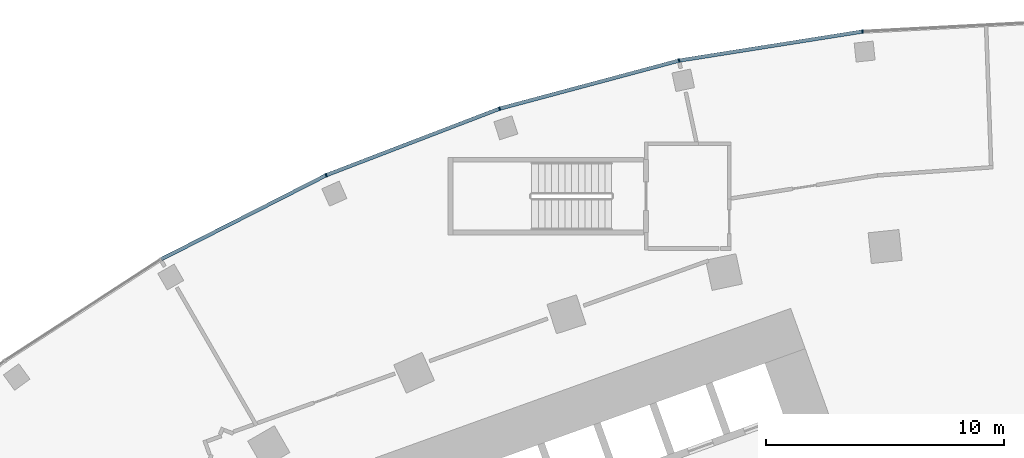
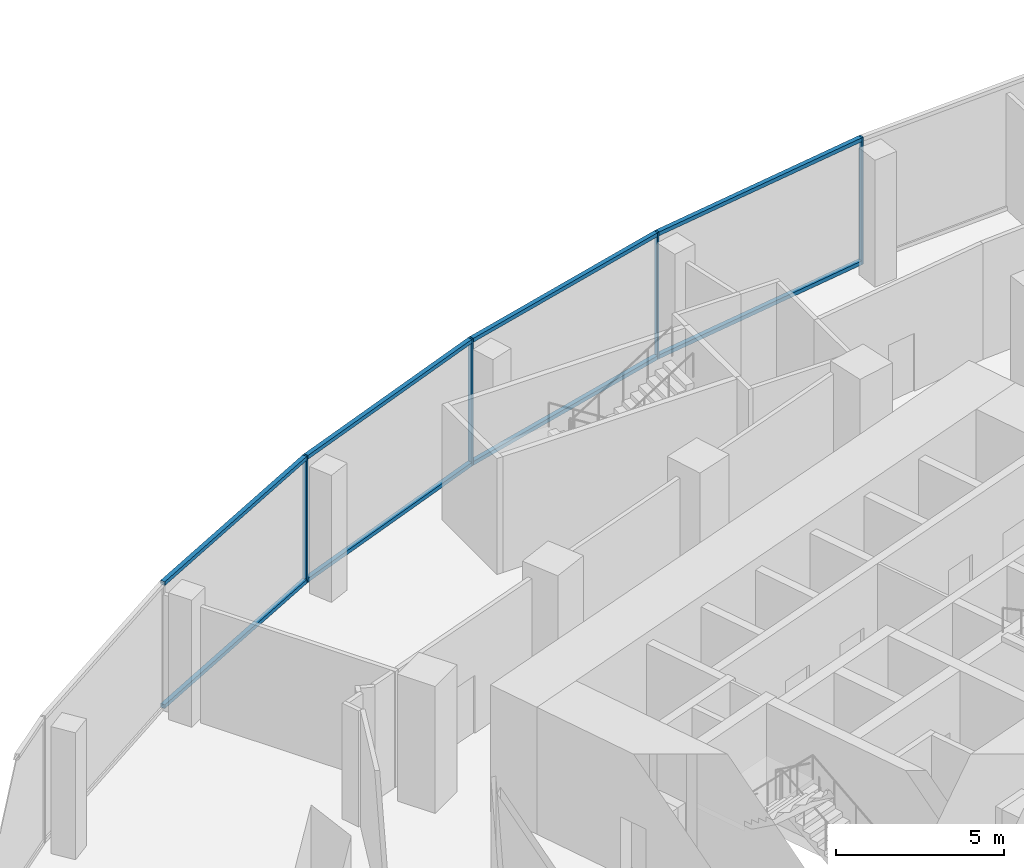
# One storey, part 7 of 39: 12 members, 1 element without a shape of its own.
"""IFC4 building model written with IfcOpenShell, lengths in metres."""

from ifc_helpers import new_model, si_unit, direction, frame, origin, origin_2d, place, context, subcontext, project, spatial, rectangle, extrude, material, layer, layer_set, material_profile, profile_set, type_object, element, aggregate, save


model = new_model("IFC4")

# Units and contexts
model_context = context("Model", 3, precision=1e-05, world=origin(), true_north=direction((0.0, 1.0)))
body_context = subcontext(model_context, "Body", "Model", "MODEL_VIEW")
ifc_project = project(units=[si_unit("LENGTHUNIT", "METRE"), si_unit("AREAUNIT", "SQUARE_METRE"), si_unit("VOLUMEUNIT", "CUBIC_METRE"), si_unit("PLANEANGLEUNIT", "RADIAN"), si_unit("MASSUNIT", "GRAM", prefix="KILO")], contexts=[model_context])

# Site, building, storey
site_placement = place(None, origin())
site = spatial("IfcSite", under=ifc_project, at=site_placement, CompositionType="ELEMENT")
building_placement = place(site_placement, origin())
building = spatial("IfcBuilding", under=site, at=building_placement, Name="Stone Belt Terrace Tower", CompositionType="ELEMENT")
storey_placement = place(building_placement, frame((0.0, 0.0, 20.800048828125)))
storey = spatial("IfcBuildingStorey", under=building, at=storey_placement, Name="L04", CompositionType="ELEMENT", Elevation=20.800048828125)

# Curtain wall, members
ifc_material = material(Name="Aluminium 6063-T6 anodised frame", Category="aluminium")
ifc_layer = layer(ifc_material, 0.14990234375)
ifc_layer_set = layer_set([ifc_layer], Name="CW-D podium shopfront")
curtain_wall_type = type_object("IfcCurtainWallType", Name="CW-D podium shopfront", PredefinedType="NOTDEFINED", material=ifc_layer_set)
curtain_wall_placement = place(storey_placement, origin())
curtain_wall = element("IfcCurtainWall", 1, at=curtain_wall_placement, inside=storey, type_object=curtain_wall_type, Name="CW-D convex face L04", PredefinedType="NOTDEFINED")
ifc_material_profile_1 = material_profile(ifc_material, rectangle(XDim=0.14990234375, YDim=0.06005859375, at=origin_2d()), Name="Aluminium 6063-T6 60x150")
ifc_profile_set_1 = profile_set([ifc_material_profile_1], Name="Aluminium 6063-T6 anodised frame")
member_type_1 = type_object("IfcMemberType", Name="CW-D mullion 60 x 150", PredefinedType="MULLION", material=ifc_profile_set_1)
member_1_placement = place(storey_placement, frame((-7.795166015625, 74.16650390625, 0.0), z_axis=(0.0, 0.0, 1.0), x_axis=(0.104528463268, -0.994521895368, 0.0)))
member_1 = element("IfcMember", 2, at=member_1_placement, type_object=member_type_1, Name="CW-D mullion 14", PredefinedType="MULLION", context=body_context, shape_type="SweptSolid", body=[
    extrude(rectangle(XDim=0.14990234375, YDim=0.06005859375, at=origin_2d()), origin(), (0.0, 0.0, 1.0), 4.599853515625),
])
member_2_placement = place(storey_placement, frame((-15.505126953125, 72.945556640625, 0.0), z_axis=(0.0, 0.0, 1.0), x_axis=(0.207911690818, -0.978147600734, 0.0)))
member_2 = element("IfcMember", 3, at=member_2_placement, type_object=member_type_1, Name="CW-D mullion 15", PredefinedType="MULLION", context=body_context, shape_type="SweptSolid", body=[
    extrude(rectangle(XDim=0.14990234375, YDim=0.06005859375, at=origin_2d()), origin(), (0.0, 0.0, 1.0), 4.599853515625),
])
member_3_placement = place(storey_placement, frame((-23.044921875, 70.925048828125, 0.0), z_axis=(0.0, 0.0, 1.0), x_axis=(0.309016994375, -0.951056516295, 0.0)))
member_3 = element("IfcMember", 4, at=member_3_placement, type_object=member_type_1, Name="CW-D mullion 16", PredefinedType="MULLION", context=body_context, shape_type="SweptSolid", body=[
    extrude(rectangle(XDim=0.14990234375, YDim=0.06005859375, at=origin_2d()), origin(), (0.0, 0.0, 1.0), 4.599853515625),
])
member_4_placement = place(storey_placement, frame((-30.33251953125, 68.127685546875, 0.0), z_axis=(0.0, 0.0, 1.0), x_axis=(0.406736643076, -0.913545457643, 0.0)))
member_4 = element("IfcMember", 5, at=member_4_placement, type_object=member_type_1, Name="CW-D mullion 17", PredefinedType="MULLION", context=body_context, shape_type="SweptSolid", body=[
    extrude(rectangle(XDim=0.14990234375, YDim=0.06005859375, at=origin_2d()), origin(), (0.0, 0.0, 1.0), 4.599853515625),
])
ifc_material_profile_2 = material_profile(ifc_material, rectangle(XDim=0.14990234375, YDim=0.139892578125, at=origin_2d()), Name="Aluminium 6063-T6 150x140")
ifc_profile_set_2 = profile_set([ifc_material_profile_2], Name="Aluminium 6063-T6 anodised frame")
member_type_2 = type_object("IfcMemberType", Name="CW-D transom 140 x 150", PredefinedType="USERDEFINED", material=ifc_profile_set_2)
member_5_placement = place(storey_placement, frame((-7.82861328125, 74.161376953125, 0.070068359375), z_axis=(-0.987685334162, -0.156453445733, 0.0), x_axis=(0.156453445733, -0.987685334162, 0.0)))
member_5 = element("IfcMember", 6, at=member_5_placement, type_object=member_type_2, Name="CW-D transom 14.1", ObjectType="TRANSOM", PredefinedType="USERDEFINED", context=body_context, shape_type="SweptSolid", body=[
    extrude(rectangle(XDim=0.14990234375, YDim=0.139892578125, at=origin_2d()), origin(), (0.0, 0.0, 1.0), 7.73828125),
])
member_6_placement = place(storey_placement, frame((-7.82861328125, 74.161376953125, 4.530029296875), z_axis=(-0.987685334162, -0.156453445733, 0.0), x_axis=(0.156453445733, -0.987685334162, 0.0)))
member_6 = element("IfcMember", 7, at=member_6_placement, type_object=member_type_2, Name="CW-D transom 14.2", ObjectType="TRANSOM", PredefinedType="USERDEFINED", context=body_context, shape_type="SweptSolid", body=[
    extrude(rectangle(XDim=0.14990234375, YDim=0.139892578125, at=origin_2d()), origin(), (0.0, 0.0, 1.0), 7.73828125),
])
member_7_placement = place(storey_placement, frame((-15.537841796875, 72.936767578125, 0.070068359375), z_axis=(-0.965920024897, -0.258840695223, 0.0), x_axis=(0.258840695223, -0.965920024897, 0.0)))
member_7 = element("IfcMember", 8, at=member_7_placement, type_object=member_type_2, Name="CW-D transom 15.1", ObjectType="TRANSOM", PredefinedType="USERDEFINED", context=body_context, shape_type="SweptSolid", body=[
    extrude(rectangle(XDim=0.14990234375, YDim=0.139892578125, at=origin_2d()), origin(), (0.0, 0.0, 1.0), 7.738037109375),
])
member_8_placement = place(storey_placement, frame((-15.537841796875, 72.936767578125, 4.530029296875), z_axis=(-0.965920024897, -0.258840695223, 0.0), x_axis=(0.258840695223, -0.965920024897, 0.0)))
member_8 = element("IfcMember", 9, at=member_8_placement, type_object=member_type_2, Name="CW-D transom 15.2", ObjectType="TRANSOM", PredefinedType="USERDEFINED", context=body_context, shape_type="SweptSolid", body=[
    extrude(rectangle(XDim=0.14990234375, YDim=0.139892578125, at=origin_2d()), origin(), (0.0, 0.0, 1.0), 7.738037109375),
])
member_9_placement = place(storey_placement, frame((-23.07666015625, 70.9130859375, 0.070068359375), z_axis=(-0.933575536994, -0.358380686878, 0.0), x_axis=(0.358380686878, -0.933575536994, 0.0)))
member_9 = element("IfcMember", 10, at=member_9_placement, type_object=member_type_2, Name="CW-D transom 16.1", ObjectType="TRANSOM", PredefinedType="USERDEFINED", context=body_context, shape_type="SweptSolid", body=[
    extrude(rectangle(XDim=0.14990234375, YDim=0.139892578125, at=origin_2d()), origin(), (0.0, 0.0, 1.0), 7.738037109375),
])
member_10_placement = place(storey_placement, frame((-23.07666015625, 70.9130859375, 4.530029296875), z_axis=(-0.933575536994, -0.358380686878, 0.0), x_axis=(0.358380686878, -0.933575536994, 0.0)))
member_10 = element("IfcMember", 11, at=member_10_placement, type_object=member_type_2, Name="CW-D transom 16.2", ObjectType="TRANSOM", PredefinedType="USERDEFINED", context=body_context, shape_type="SweptSolid", body=[
    extrude(rectangle(XDim=0.14990234375, YDim=0.139892578125, at=origin_2d()), origin(), (0.0, 0.0, 1.0), 7.738037109375),
])
member_11_placement = place(storey_placement, frame((-30.362548828125, 68.1123046875, 0.070068359375), z_axis=(-0.891013010183, -0.453977770034, 0.0), x_axis=(0.453977770034, -0.891013010183, 0.0)))
member_11 = element("IfcMember", 12, at=member_11_placement, type_object=member_type_2, Name="CW-D transom 17.1", ObjectType="TRANSOM", PredefinedType="USERDEFINED", context=body_context, shape_type="SweptSolid", body=[
    extrude(rectangle(XDim=0.14990234375, YDim=0.139892578125, at=origin_2d()), origin(), (0.0, 0.0, 1.0), 7.738037109375),
])
member_12_placement = place(storey_placement, frame((-30.362548828125, 68.1123046875, 4.530029296875), z_axis=(-0.891013010183, -0.453977770034, 0.0), x_axis=(0.453977770034, -0.891013010183, 0.0)))
member_12 = element("IfcMember", 13, at=member_12_placement, type_object=member_type_2, Name="CW-D transom 17.2", ObjectType="TRANSOM", PredefinedType="USERDEFINED", context=body_context, shape_type="SweptSolid", body=[
    extrude(rectangle(XDim=0.14990234375, YDim=0.139892578125, at=origin_2d()), origin(), (0.0, 0.0, 1.0), 7.738037109375),
])
aggregate(curtain_wall, [member_1, member_2, member_3, member_4, member_5, member_6, member_7, member_8, member_9, member_10, member_11, member_12])

save(model, "model.ifc")
